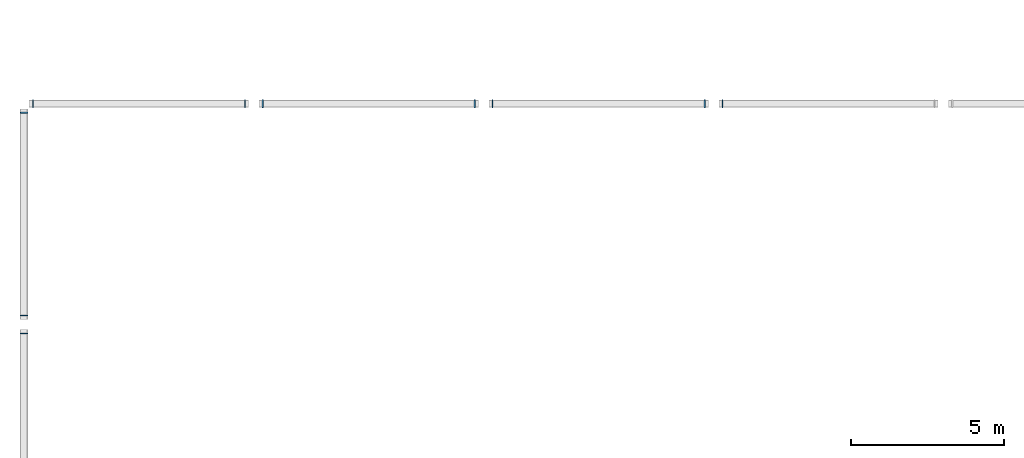
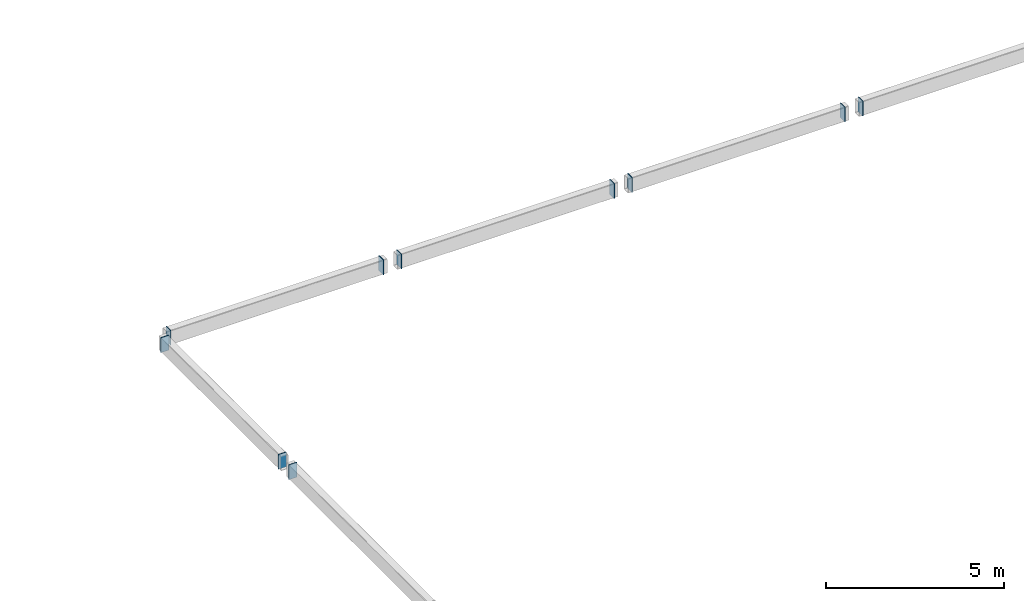
# One storey, part 28 of 45: 10 plates.
"""IFC4 building model written with IfcOpenShell, lengths in metres."""

from ifc_helpers import new_model, si_unit, direction, frame, origin, origin_2d, place, context, subcontext, project, spatial, rectangle, extrude, material, layer, layer_set, type_object, element, save


model = new_model("IFC4")

# Units and contexts
model_context = context("Model", 3, precision=1e-05, world=origin(), true_north=direction((0.0, 1.0)))
body_context = subcontext(model_context, "Body", "Model", "MODEL_VIEW")
ifc_project = project(units=[si_unit("LENGTHUNIT", "METRE"), si_unit("AREAUNIT", "SQUARE_METRE"), si_unit("VOLUMEUNIT", "CUBIC_METRE"), si_unit("PLANEANGLEUNIT", "RADIAN"), si_unit("MASSUNIT", "GRAM", prefix="KILO")], contexts=[model_context])

# Site, building, storey
site_placement = place(None, origin())
site = spatial("IfcSite", under=ifc_project, at=site_placement, CompositionType="ELEMENT")
building_placement = place(site_placement, origin())
building = spatial("IfcBuilding", under=site, at=building_placement, Name="Yukiwa Park Conservatory and Herbarium", CompositionType="ELEMENT")
storey_placement = place(building_placement, frame((0.0, 0.0, 9.0)))
storey = spatial("IfcBuildingStorey", under=building, at=storey_placement, Name="L02", CompositionType="ELEMENT", Elevation=9.0)

# Plates
ifc_material = material(Name="Steel Q355D", Category="steel")
ifc_layer = layer(ifc_material, 0.02392578125)
ifc_layer_set = layer_set([ifc_layer], Name="Steel Q355D")
plate_type = type_object("IfcPlateType", Name="PL-CAP-24", PredefinedType="USERDEFINED", material=ifc_layer_set)
for number, where, z_axis, x_axis, name in (
    (1, (0.302978515625, 31.199951171875, -0.25), (-1.0, 0.0, 0.0), (0.0, -1.0, 0.0), "Hollow section end cap plate CAP-VRNG-N-1A"),
    (2, (7.197021484375, 31.199951171875, -0.25), (1.0, 0.0, 0.0), (0.0, 1.0, 0.0), "Hollow section end cap plate CAP-VRNG-N-1B"),
    (3, (7.802978515625, 31.199951171875, -0.25), (-1.0, 0.0, 0.0), (0.0, -1.0, 0.0), "Hollow section end cap plate CAP-VRNG-N-2A"),
    (4, (14.697021484375, 31.199951171875, -0.25), (1.0, 0.0, 0.0), (0.0, 1.0, 0.0), "Hollow section end cap plate CAP-VRNG-N-2B"),
    (5, (15.302978515625, 31.199951171875, -0.25), (-1.0, 0.0, 0.0), (0.0, -1.0, 0.0), "Hollow section end cap plate CAP-VRNG-N-3A"),
    (6, (22.197021484375, 31.199951171875, -0.25), (1.0, 0.0, 0.0), (0.0, 1.0, 0.0), "Hollow section end cap plate CAP-VRNG-N-3B"),
    (7, (22.802978515625, 31.199951171875, -0.25), (-1.0, 0.0, 0.0), (0.0, -1.0, 0.0), "Hollow section end cap plate CAP-VRNG-N-4A"),
    (8, (0.0, 23.697021484375, -0.25), (0.0, 1.0, 0.0), (-1.0, 0.0, 0.0), "Hollow section end cap plate CAP-VGBL-W-3B"),
    (9, (0.0, 24.302978515625, -0.25), (0.0, -1.0, 0.0), (1.0, 0.0, 0.0), "Hollow section end cap plate CAP-VGBL-W-4A"),
    (10, (0.0, 30.89697265625, -0.25), (0.0, 1.0, 0.0), (-1.0, 0.0, 0.0), "Hollow section end cap plate CAP-VGBL-W-4B"),
):
    element("IfcPlate", number, at=place(storey_placement, frame(where, z_axis=z_axis, x_axis=x_axis)), inside=storey, type_object=plate_type, Name=name, ObjectType="END CAP PLATE", PredefinedType="USERDEFINED", context=body_context, shape_type="SweptSolid", body=[
        extrude(rectangle(XDim=0.258056640625, YDim=0.508056640625, at=origin_2d()), origin(), (0.0, 0.0, 1.0), 0.02392578125),
    ])

save(model, "model.ifc")
